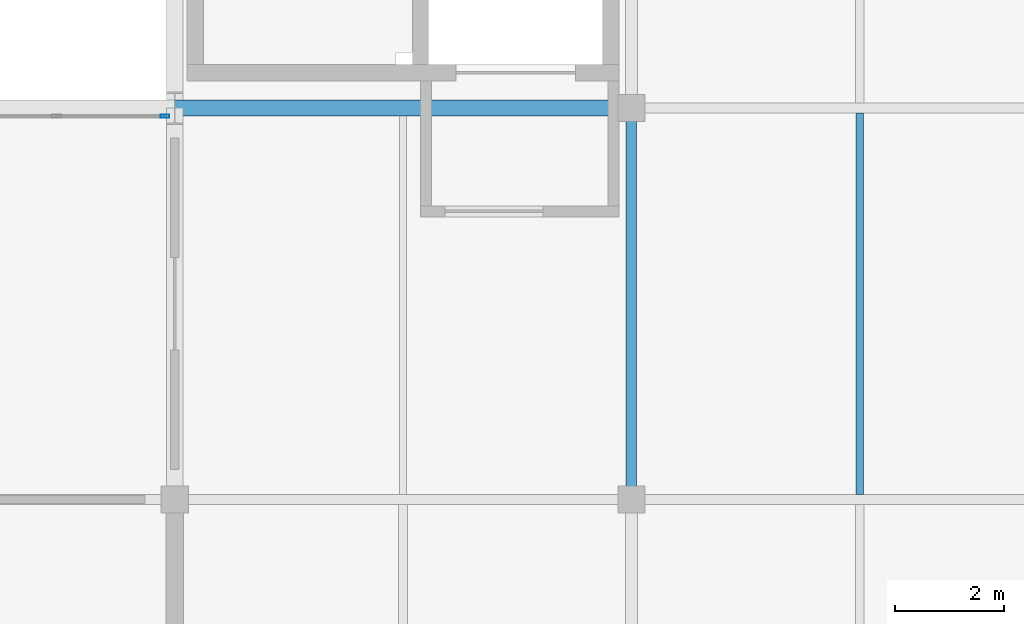
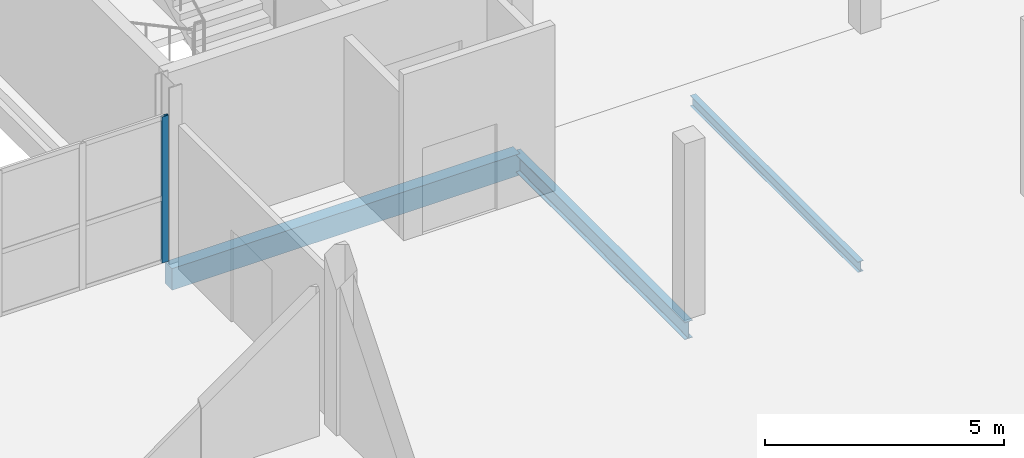
# One storey, part 69 of 109: 3 beams, 1 member, 1 element without a shape of its own.
"""IFC4 building model written with IfcOpenShell, lengths in metres."""

from ifc_helpers import new_model, si_unit, direction, frame, origin, origin_2d, place, context, subcontext, project, spatial, rectangle, hollow_rectangle, i_section, extrude, material, material_profile, profile_set, type_object, element, aggregate, save


model = new_model("IFC4")

# Units and contexts
model_context = context("Model", 3, precision=1e-05, world=origin(), true_north=direction((0.0, 1.0)))
body_context = subcontext(model_context, "Body", "Model", "MODEL_VIEW")
ifc_project = project(units=[si_unit("LENGTHUNIT", "METRE"), si_unit("AREAUNIT", "SQUARE_METRE"), si_unit("VOLUMEUNIT", "CUBIC_METRE"), si_unit("PLANEANGLEUNIT", "RADIAN"), si_unit("MASSUNIT", "GRAM", prefix="KILO")], contexts=[model_context])

# Site, building, storey
site_placement = place(None, origin())
site = spatial("IfcSite", under=ifc_project, at=site_placement, CompositionType="ELEMENT")
building_placement = place(site_placement, origin())
building = spatial("IfcBuilding", under=site, at=building_placement, Name="Veltarok Museum of Natural Sciences", CompositionType="ELEMENT")
storey_placement = place(building_placement, frame((0.0, 0.0, 17.39990234375)))
storey = spatial("IfcBuildingStorey", under=building, at=storey_placement, Name="L03", CompositionType="ELEMENT", Elevation=17.39990234375)

# Curtain wall, member
ifc_material_1 = material(Name="Low-iron triple insulated glass", Category="glass")
curtain_wall_type = type_object("IfcCurtainWallType", Name="Curtain Wall System CW-V5CN-L03-3-810x373 (CW-V5CN L03 810x373cm)", PredefinedType="NOTDEFINED", material=ifc_material_1)
curtain_wall_placement = place(storey_placement, origin())
curtain_wall = element("IfcCurtainWall", 1, at=curtain_wall_placement, inside=storey, type_object=curtain_wall_type, Name="Curtain Wall CW-V5CN-L03-3-810x373 CW-0195", PredefinedType="NOTDEFINED")
ifc_material_2 = material(Name="Thermally broken anodised aluminium", Category="aluminium")
ifc_material_profile_1 = material_profile(ifc_material_2, hollow_rectangle(XDim=0.06005859375, YDim=0.159912109375, WallThickness=0.0048828125, at=origin_2d()), Name="CW MULLION 60x160x5")
ifc_profile_set_1 = profile_set([ifc_material_profile_1], Name="Thermally broken anodised aluminium")
member_type = type_object("IfcMemberType", Name="Curtain Wall Vertical Mullion 60x160x5", PredefinedType="MULLION", material=ifc_profile_set_1)
member_placement = place(storey_placement, frame((132.219970703125, 26.25, -0.001953125), z_axis=(0.0, 0.0, 1.0), x_axis=(0.0, -1.0, 0.0)))
member = element("IfcMember", 2, at=member_placement, type_object=member_type, Name="CW-V5CN-L03-3-810x373 mullion 1", PredefinedType="MULLION", context=body_context, shape_type="SweptSolid", body=[
    extrude(hollow_rectangle(XDim=0.06005859375, YDim=0.159912109375, WallThickness=0.0048828125, at=origin_2d()), origin(), (0.0, 0.0, 1.0), 3.73193359375),
])
aggregate(curtain_wall, [member])

# Beams
ifc_material_3 = material(Name="Precast concrete C40/50", Category="concrete")
ifc_material_profile_2 = material_profile(ifc_material_3, rectangle(XDim=0.300048828125, YDim=0.550048828125, at=origin_2d()), Name="RC 300x550")
ifc_profile_set_2 = profile_set([ifc_material_profile_2], Name="Precast concrete C40/50")
beam_type_1 = type_object("IfcBeamType", Name="East Wing Precast Spandrel RC 300x550", PredefinedType="SPANDREL", material=ifc_profile_set_2)
beam_1_placement = place(storey_placement, frame((132.39990234375, 26.39990234375, -0.52490234375), z_axis=(1.0, 0.0, 0.0), x_axis=(0.0, 1.0, 0.0)))
element("IfcBeam", 3, at=beam_1_placement, inside=storey, type_object=beam_type_1, Name="Beam BM-SP02 L03 16-17/D", PredefinedType="SPANDREL", context=body_context, shape_type="SweptSolid", body=[
    extrude(rectangle(XDim=0.300048828125, YDim=0.550048828125, at=origin_2d()), origin(), (0.0, 0.0, 1.0), 8.400146484375),
])
ifc_material_4 = material(Name="Steel S355J2", Category="steel")
ifc_material_profile_3 = material_profile(ifc_material_4, i_section(OverallWidth=0.18994140625, OverallDepth=0.449951171875, WebThickness=0.009521484375, FlangeThickness=0.0146484375, FilletRadius=0.02099609375, at=origin_2d()), Name="IPE 450")
ifc_profile_set_3 = profile_set([ifc_material_profile_3], Name="Steel S355J2")
beam_type_2 = type_object("IfcBeamType", Name="Laboratory Floor Girder IPE 450", PredefinedType="BEAM", material=ifc_profile_set_3)
beam_2_placement = place(storey_placement, frame((140.800048828125, 19.199951171875, -0.474853515625), z_axis=(0.0, 1.0, 0.0), x_axis=(-1.0, 0.0, 0.0)))
element("IfcBeam", 4, at=beam_2_placement, inside=storey, type_object=beam_type_2, Name="Beam BM-G05 L03 17/C-D", PredefinedType="BEAM", context=body_context, shape_type="SweptSolid", body=[
    extrude(i_section(OverallWidth=0.18994140625, OverallDepth=0.449951171875, WebThickness=0.009521484375, FlangeThickness=0.0146484375, FilletRadius=0.02099609375, at=origin_2d()), origin(), (0.0, 0.0, 1.0), 7.199951171875),
])
ifc_material_profile_4 = material_profile(ifc_material_4, i_section(OverallWidth=0.135009765625, OverallDepth=0.27001953125, WebThickness=0.006591796875, FlangeThickness=0.01025390625, FilletRadius=0.014892578125, at=origin_2d()), Name="IPE 270")
ifc_profile_set_4 = profile_set([ifc_material_profile_4], Name="Steel S355J2")
beam_type_3 = type_object("IfcBeamType", Name="Short-Bay Composite Joist IPE 270", PredefinedType="JOIST", material=ifc_profile_set_4)
beam_3_placement = place(storey_placement, frame((145.0, 19.29296875, -0.385009765625), z_axis=(0.0, 1.0, 0.0), x_axis=(-1.0, 0.0, 0.0)))
element("IfcBeam", 5, at=beam_3_placement, inside=storey, type_object=beam_type_3, Name="Secondary Joist BM-J04 L03 17-18/C-D.1", PredefinedType="JOIST", context=body_context, shape_type="SweptSolid", body=[
    extrude(i_section(OverallWidth=0.135009765625, OverallDepth=0.27001953125, WebThickness=0.006591796875, FlangeThickness=0.01025390625, FilletRadius=0.014892578125, at=origin_2d()), origin(), (0.0, 0.0, 1.0), 7.013916015625),
])

save(model, "model.ifc")
